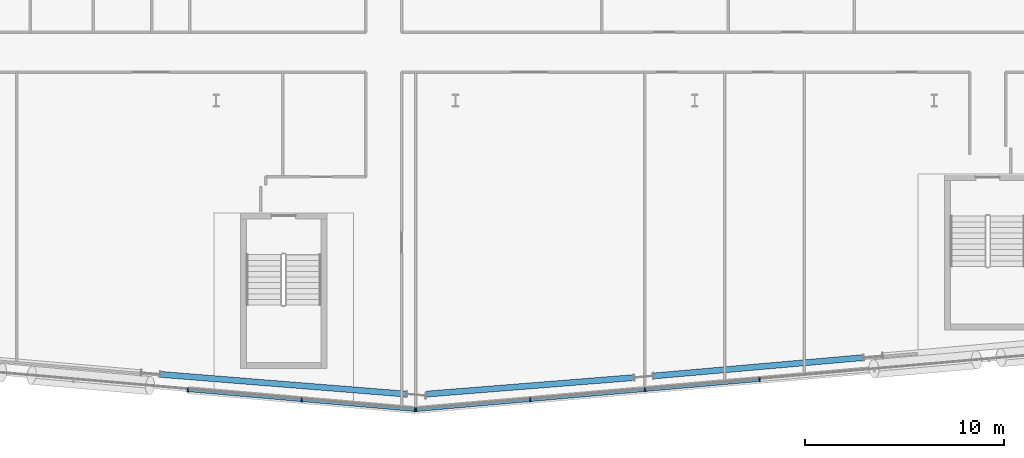
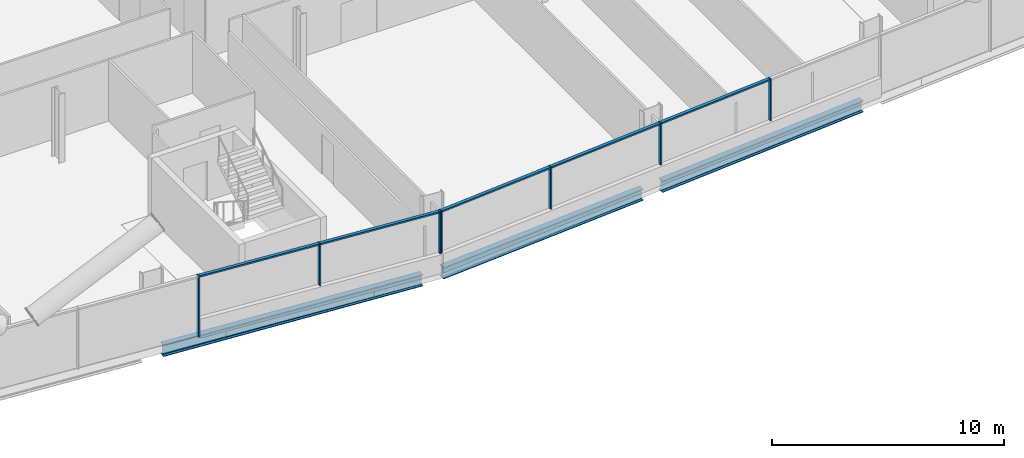
# One storey, part 6 of 27: 12 members, 3 beams, 2 elements without a shape of their own.
"""IFC4 building model written with IfcOpenShell, lengths in metres."""

from ifc_helpers import new_model, si_unit, direction, frame, origin, origin_2d, place, context, subcontext, project, spatial, rectangle, i_section, extrude, material, material_profile, profile_set, type_object, element, aggregate, save


model = new_model("IFC4")

# Units and contexts
model_context = context("Model", 3, precision=1e-05, world=origin(), true_north=direction((0.0, 1.0)))
body_context = subcontext(model_context, "Body", "Model", "MODEL_VIEW")
ifc_project = project(units=[si_unit("LENGTHUNIT", "METRE"), si_unit("AREAUNIT", "SQUARE_METRE"), si_unit("VOLUMEUNIT", "CUBIC_METRE"), si_unit("PLANEANGLEUNIT", "RADIAN"), si_unit("MASSUNIT", "GRAM", prefix="KILO")], contexts=[model_context])

# Site, building, storey
site_placement = place(None, origin())
site = spatial("IfcSite", under=ifc_project, at=site_placement, CompositionType="ELEMENT")
building_placement = place(site_placement, origin())
building = spatial("IfcBuilding", under=site, at=building_placement, Name="Wharfspan Tower", CompositionType="ELEMENT")
storey_placement = place(building_placement, frame((0.0, 0.0, 84.699951)))
storey = spatial("IfcBuildingStorey", under=building, at=storey_placement, Name="L18", CompositionType="ELEMENT", Elevation=84.699951)

# Beams
ifc_material_1 = material(Name="Steel S355J2", Category="steel")
ifc_material_profile_1 = material_profile(ifc_material_1, i_section(OverallWidth=0.300049, OverallDepth=0.600098, WebThickness=0.015381, FlangeThickness=0.030029, FilletRadius=0.0271, at=origin_2d()))
ifc_profile_set_1 = profile_set([ifc_material_profile_1], Name="Steel S355J2")
beam_type = type_object("IfcBeamType", Name="Edge beam HEB 600", PredefinedType="SPANDREL", material=ifc_profile_set_1)
beam_1_placement = place(storey_placement, frame((33.222656, -2.240479, -0.699951), z_axis=(0.996802, -0.079913, 0.0), x_axis=(0.079913, 0.996802, 0.0)))
element("IfcBeam", 1, at=beam_1_placement, inside=storey, type_object=beam_type, Name="Edge beam S1 L18 PS1.3 to PS1.4", PredefinedType="SPANDREL", context=body_context, shape_type="SweptSolid", body=[
    extrude(i_section(OverallWidth=0.300049, OverallDepth=0.600098, WebThickness=0.015381, FlangeThickness=0.030029, FilletRadius=0.0271, at=origin_2d()), origin(), (0.0, 0.0, 1.0), 12.36084),
])
beam_2_placement = place(storey_placement, frame((46.547852, -3.228027, -0.699951), z_axis=(0.996848, 0.079335, 0.0), x_axis=(-0.079335, 0.996848, 0.0)))
element("IfcBeam", 2, at=beam_2_placement, inside=storey, type_object=beam_type, Name="Edge beam S2 L18 PS1.4 to PS2.1", PredefinedType="SPANDREL", context=body_context, shape_type="SweptSolid", body=[
    extrude(i_section(OverallWidth=0.300049, OverallDepth=0.600098, WebThickness=0.015381, FlangeThickness=0.030029, FilletRadius=0.0271, at=origin_2d()), origin(), (0.0, 0.0, 1.0), 10.429199),
])
beam_3_placement = place(storey_placement, frame((57.940674, -2.317383, -0.699951), z_axis=(0.996195, 0.087155, 0.0), x_axis=(-0.087155, 0.996195, 0.0)))
element("IfcBeam", 3, at=beam_3_placement, inside=storey, type_object=beam_type, Name="Edge beam S2 L18 PS2.1 to PS2.2", PredefinedType="SPANDREL", context=body_context, shape_type="SweptSolid", body=[
    extrude(i_section(OverallWidth=0.300049, OverallDepth=0.600098, WebThickness=0.015381, FlangeThickness=0.030029, FilletRadius=0.0271, at=origin_2d()), origin(), (0.0, 0.0, 1.0), 10.543701),
])

# Curtain wall, members
ifc_material_2 = material(Name="Aluminium 6063-T6", Category="aluminium")
curtain_wall_type = type_object("IfcCurtainWallType", Name="CURTAIN WALL FACETED FRONT", PredefinedType="NOTDEFINED", material=ifc_material_2)
curtain_wall_1_placement = place(storey_placement, origin())
curtain_wall_1 = element("IfcCurtainWall", 4, at=curtain_wall_1_placement, inside=storey, type_object=curtain_wall_type, Name="Curtain wall S1", PredefinedType="NOTDEFINED")
ifc_material_profile_2 = material_profile(ifc_material_2, rectangle(XDim=0.199951, YDim=0.060059, at=origin_2d()))
ifc_profile_set_2 = profile_set([ifc_material_profile_2], Name="Aluminium 6063-T6")
member_type_1 = type_object("IfcMemberType", Name="MULLION FACETED FRONT 60x200", PredefinedType="MULLION", material=ifc_profile_set_2)
member_1_placement = place(storey_placement, frame((34.571533, -3.024658, 0.0), z_axis=(0.0, 0.0, 1.0), x_axis=(0.087156, 0.996197, 0.0)))
member_1 = element("IfcMember", 5, at=member_1_placement, type_object=member_type_1, Name="Curtain wall S1 mullion 6", PredefinedType="MULLION", context=body_context, shape_type="SweptSolid", body=[
    extrude(rectangle(XDim=0.199951, YDim=0.060059, at=origin_2d()), origin(), (0.0, 0.0, 1.0), 3.199951),
])
member_2_placement = place(storey_placement, frame((40.285645, -3.524658, 1.0), z_axis=(0.0, 0.0, 1.0), x_axis=(0.087156, 0.996197, 0.0)))
member_2 = element("IfcMember", 6, at=member_2_placement, type_object=member_type_1, Name="Curtain wall S1 mullion 7", PredefinedType="MULLION", context=body_context, shape_type="SweptSolid", body=[
    extrude(rectangle(XDim=0.199951, YDim=0.060059, at=origin_2d()), origin(), (0.0, 0.0, 1.0), 2.199951),
])
member_3_placement = place(storey_placement, frame((45.970215, -4.021973, 1.0), z_axis=(0.0, 0.0, 1.0), x_axis=(0.087156, 0.996197, 0.0)))
member_3 = element("IfcMember", 7, at=member_3_placement, type_object=member_type_1, Name="Curtain wall S1 mullion 8", PredefinedType="MULLION", context=body_context, shape_type="SweptSolid", body=[
    extrude(rectangle(XDim=0.199951, YDim=0.060059, at=origin_2d()), origin(), (0.0, 0.0, 1.0), 2.199951),
])

curtain_wall_2_placement = place(storey_placement, origin())
curtain_wall_2 = element("IfcCurtainWall", 8, at=curtain_wall_2_placement, inside=storey, type_object=curtain_wall_type, Name="Curtain wall S2", PredefinedType="NOTDEFINED")
member_4_placement = place(storey_placement, frame((46.029785, -4.021973, 1.0), z_axis=(0.0, 0.0, 1.0), x_axis=(-0.087156, 0.996197, 0.0)))
member_4 = element("IfcMember", 9, at=member_4_placement, type_object=member_type_1, Name="Curtain wall S2 mullion 1", PredefinedType="MULLION", context=body_context, shape_type="SweptSolid", body=[
    extrude(rectangle(XDim=0.199951, YDim=0.060059, at=origin_2d()), origin(), (0.0, 0.0, 1.0), 2.199951),
])
member_5_placement = place(storey_placement, frame((51.75, -3.521484, 1.0), z_axis=(0.0, 0.0, 1.0), x_axis=(-0.087156, 0.996197, 0.0)))
member_5 = element("IfcMember", 10, at=member_5_placement, type_object=member_type_1, Name="Curtain wall S2 mullion 2", PredefinedType="MULLION", context=body_context, shape_type="SweptSolid", body=[
    extrude(rectangle(XDim=0.199951, YDim=0.060059, at=origin_2d()), origin(), (0.0, 0.0, 1.0), 2.199951),
])
member_6_placement = place(storey_placement, frame((57.5, -3.018311, 1.0), z_axis=(0.0, 0.0, 1.0), x_axis=(-0.087156, 0.996197, 0.0)))
member_6 = element("IfcMember", 11, at=member_6_placement, type_object=member_type_1, Name="Curtain wall S2 mullion 3", PredefinedType="MULLION", context=body_context, shape_type="SweptSolid", body=[
    extrude(rectangle(XDim=0.199951, YDim=0.060059, at=origin_2d()), origin(), (0.0, 0.0, 1.0), 2.199951),
])
member_7_placement = place(storey_placement, frame((63.25, -2.515381, 1.0), z_axis=(0.0, 0.0, 1.0), x_axis=(-0.087156, 0.996197, 0.0)))
member_7 = element("IfcMember", 12, at=member_7_placement, type_object=member_type_1, Name="Curtain wall S2 mullion 4", PredefinedType="MULLION", context=body_context, shape_type="SweptSolid", body=[
    extrude(rectangle(XDim=0.199951, YDim=0.060059, at=origin_2d()), origin(), (0.0, 0.0, 1.0), 2.199951),
])

# Member
ifc_material_profile_3 = material_profile(ifc_material_2, rectangle(XDim=0.159912, YDim=0.080078, at=origin_2d()))
ifc_profile_set_3 = profile_set([ifc_material_profile_3], Name="Aluminium 6063-T6")
member_type_2 = type_object("IfcMemberType", Name="TRANSOM FACETED FRONT 80x160", PredefinedType="USERDEFINED", material=ifc_profile_set_3)
member_8_placement = place(storey_placement, frame((34.601318, -3.027344, 3.160156), z_axis=(0.996196, -0.087142, 0.0), x_axis=(0.087142, 0.996196, 0.0)))
member_8 = element("IfcMember", 13, at=member_8_placement, type_object=member_type_2, Name="Curtain wall S1 transom 6", ObjectType="TRANSOM", PredefinedType="USERDEFINED", context=body_context, shape_type="SweptSolid", body=[
    extrude(rectangle(XDim=0.159912, YDim=0.080078, at=origin_2d()), origin(), (0.0, 0.0, 1.0), 5.676025),
])

member_9_placement = place(storey_placement, frame((40.315674, -3.5271, 3.160156), z_axis=(0.996193, -0.087174, 0.0), x_axis=(0.087174, 0.996193, 0.0)))
member_9 = element("IfcMember", 14, at=member_9_placement, type_object=member_type_2, Name="Curtain wall S1 transom 7", ObjectType="TRANSOM", PredefinedType="USERDEFINED", context=body_context, shape_type="SweptSolid", body=[
    extrude(rectangle(XDim=0.159912, YDim=0.080078, at=origin_2d()), origin(), (0.0, 0.0, 1.0), 5.645996),
])

aggregate(curtain_wall_1, [member_1, member_2, member_3, member_8, member_9])

member_10_placement = place(storey_placement, frame((46.059814, -4.019287, 3.160156), z_axis=(0.996193, 0.08718, 0.0), x_axis=(-0.08718, 0.996193, 0.0)))
member_10 = element("IfcMember", 15, at=member_10_placement, type_object=member_type_2, Name="Curtain wall S2 transom 1", ObjectType="TRANSOM", PredefinedType="USERDEFINED", context=body_context, shape_type="SweptSolid", body=[
    extrude(rectangle(XDim=0.159912, YDim=0.080078, at=origin_2d()), origin(), (0.0, 0.0, 1.0), 5.682129),
])

member_11_placement = place(storey_placement, frame((51.779785, -3.518799, 3.160156), z_axis=(0.996195, 0.087148, 0.0), x_axis=(-0.087148, 0.996195, 0.0)))
member_11 = element("IfcMember", 16, at=member_11_placement, type_object=member_type_2, Name="Curtain wall S2 transom 2", ObjectType="TRANSOM", PredefinedType="USERDEFINED", context=body_context, shape_type="SweptSolid", body=[
    extrude(rectangle(XDim=0.159912, YDim=0.080078, at=origin_2d()), origin(), (0.0, 0.0, 1.0), 5.712158),
])

member_12_placement = place(storey_placement, frame((57.529785, -3.015625, 3.160156), z_axis=(0.996195, 0.087148, 0.0), x_axis=(-0.087148, 0.996195, 0.0)))
member_12 = element("IfcMember", 17, at=member_12_placement, type_object=member_type_2, Name="Curtain wall S2 transom 3", ObjectType="TRANSOM", PredefinedType="USERDEFINED", context=body_context, shape_type="SweptSolid", body=[
    extrude(rectangle(XDim=0.159912, YDim=0.080078, at=origin_2d()), origin(), (0.0, 0.0, 1.0), 5.712158),
])

aggregate(curtain_wall_2, [member_4, member_5, member_6, member_7, member_10, member_11, member_12])

save(model, "model.ifc")
